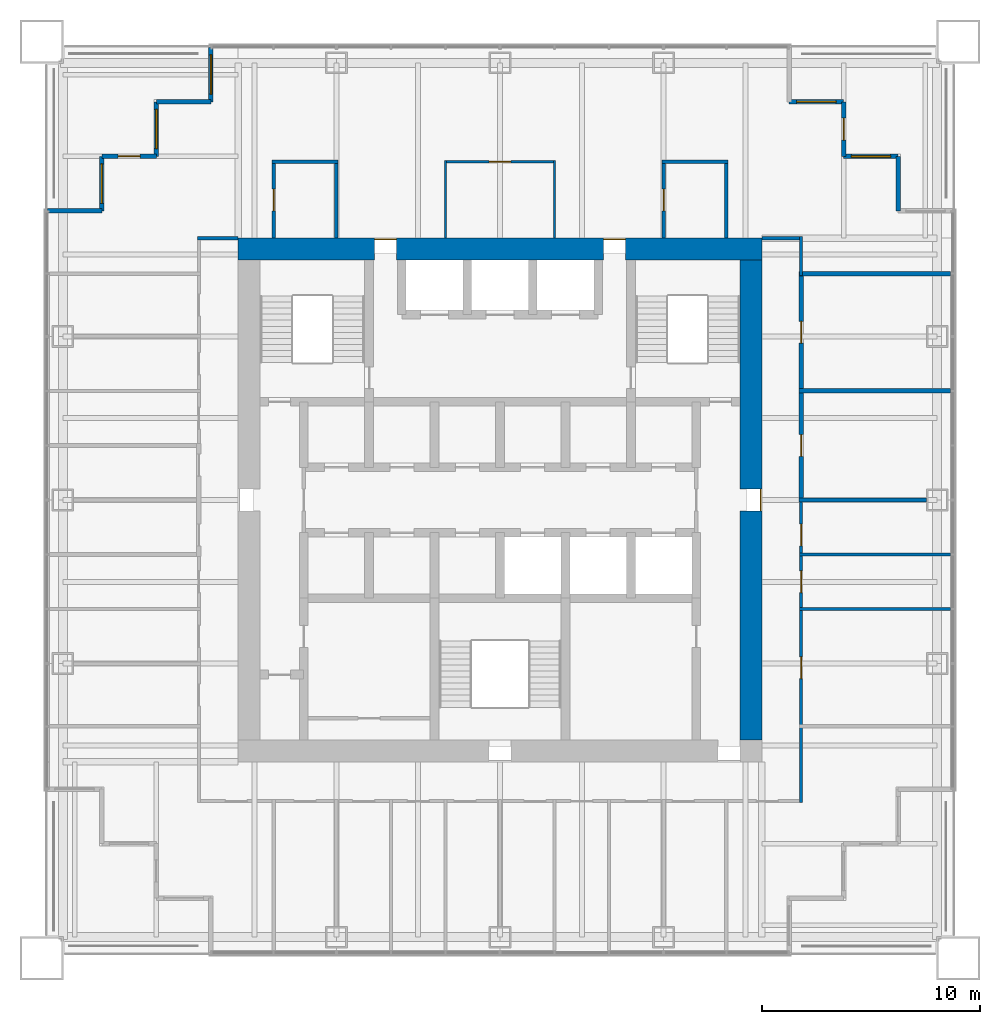
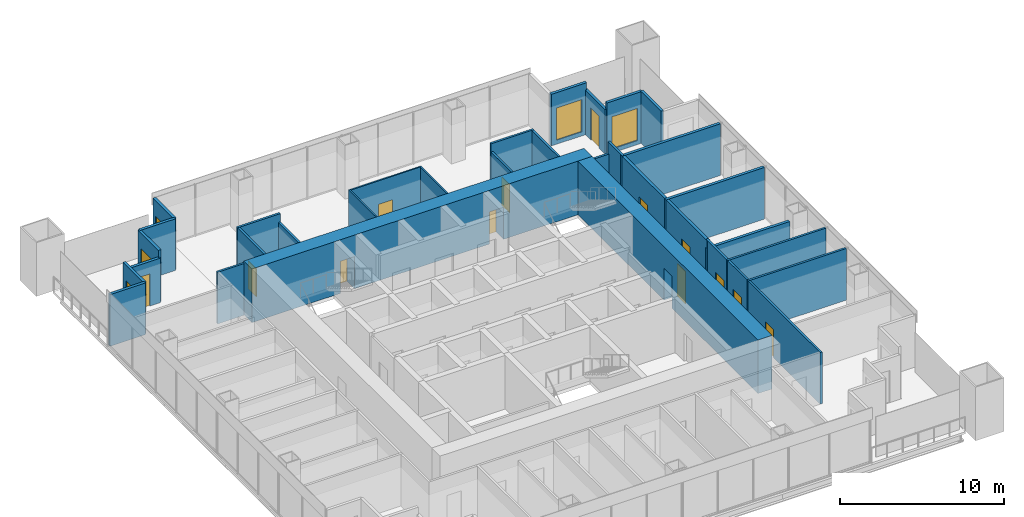
# One storey, part 12 of 15: 31 walls, 13 doors, 5 windows, 18 openings.
"""IFC4 building model written with IfcOpenShell, lengths in metres."""

import ifcopenshell
import ifcopenshell.guid

model = None  # the IFC model being written
_history = None  # IfcOwnerHistory: only IFC2X3 demands one
_inside = {}  # id of a spatial element -> (the spatial element, [elements in it])
_under = {}  # id of a project, library or spatial element -> (it, [spatial elements below it])
_declared = {}  # id of a project -> (the project, [libraries it declares])
_typed = {}  # id of a type object -> (the type object, [elements of that type])
_made_of = {}  # id of a material, layer set ... -> (it, [elements and type objects made of it])


def new_model(schema):
    """Start an empty IFC model of exactly this schema.

    Asked for "IFC4X3", IfcOpenShell would pick the latest addendum, in which some entities
    have other attributes; the version numbers below select the first issue.
    IFC2X3 requires an IfcOwnerHistory on every rooted entity: one is made here for all.
    """
    global model, _history
    if schema == "IFC4X3":
        model = ifcopenshell.file(schema_version=(4, 3, 0, 0))
    else:
        model = ifcopenshell.file(schema=schema)
    _inside.clear()
    _under.clear()
    _declared.clear()
    _typed.clear()
    _made_of.clear()
    _history = None
    if model.schema == "IFC2X3":
        org = make("IfcOrganization", Name="unknown")
        user = make(
            "IfcPersonAndOrganization",
            ThePerson=make("IfcPerson", FamilyName="unknown"),
            TheOrganization=org,
        )
        app = make(
            "IfcApplication",
            ApplicationDeveloper=org,
            Version="unknown",
            ApplicationFullName="unknown",
            ApplicationIdentifier="unknown",
        )
        _history = make(
            "IfcOwnerHistory",
            OwningUser=user,
            OwningApplication=app,
            ChangeAction="ADDED",
            CreationDate=0,
        )
    return model


def make(cls, **values):
    """One entity of the class cls with the attributes given. An attribute that is None is left unset."""
    return model.create_entity(
        cls, **{name: value for name, value in values.items() if value is not None}
    )


def rooted(cls, **values):
    """An entity with a GlobalId (a new one), such as an element, a storey or a relation."""
    return make(cls, GlobalId=ifcopenshell.guid.new(), OwnerHistory=_history, **values)


def si_unit(unit_type, name, prefix=None):
    """IfcSIUnit, for example si_unit("LENGTHUNIT", "METRE", prefix="MILLI")."""
    return make("IfcSIUnit", UnitType=unit_type, Prefix=prefix, Name=name)


def assignment(units):
    """IfcUnitAssignment: the units of a project."""
    return None if units is None else make("IfcUnitAssignment", Units=units)


def point(xyz):
    """IfcCartesianPoint."""
    return None if xyz is None else make("IfcCartesianPoint", Coordinates=xyz)


def direction(xyz):
    """IfcDirection."""
    return None if xyz is None else make("IfcDirection", DirectionRatios=xyz)


def frame(location, z_axis=None, x_axis=None):
    """IfcAxis2Placement3D, a coordinate frame: its origin and axes. An axis left out is left unset."""
    return make(
        "IfcAxis2Placement3D",
        Location=point(location),
        Axis=direction(z_axis),
        RefDirection=direction(x_axis),
    )


def frame_2d(location, x_axis=None):
    """IfcAxis2Placement2D, a coordinate frame in the plane: its origin and x axis."""
    return make(
        "IfcAxis2Placement2D", Location=point(location), RefDirection=direction(x_axis)
    )


def origin():
    """The frame at (0, 0, 0) with its axes left unset."""
    return frame((0.0, 0.0, 0.0))


def place(relative_to, where):
    """IfcLocalPlacement: puts the frame where relative to a parent placement (None: the world)."""
    return make(
        "IfcLocalPlacement", PlacementRelTo=relative_to, RelativePlacement=where
    )


def context(
    kind, dimensions, precision=None, world=None, true_north=None, identifier=None
):
    """IfcGeometricRepresentationContext, for example the 3D "Model" context."""
    return make(
        "IfcGeometricRepresentationContext",
        ContextIdentifier=identifier,
        ContextType=kind,
        CoordinateSpaceDimension=dimensions,
        Precision=precision,
        WorldCoordinateSystem=world,
        TrueNorth=true_north,
    )


def subcontext(parent, identifier, kind, view, scale=None):
    """IfcGeometricRepresentationSubContext, for example "Body" below "Model"."""
    return make(
        "IfcGeometricRepresentationSubContext",
        ContextIdentifier=identifier,
        ContextType=kind,
        ParentContext=parent,
        TargetScale=scale,
        TargetView=view,
    )


def project(units=None, contexts=None):
    """IfcProject with its units and contexts."""
    return rooted(
        "IfcProject",
        Name="project",
        RepresentationContexts=contexts,
        UnitsInContext=assignment(units),
    )


def spatial(cls, under=None, at=None, **own):
    """A site, building, storey or space (cls), placed at a placement, below another one or the project."""
    s = rooted(cls, ObjectPlacement=at, **own)
    if under is not None:
        _under.setdefault(under.id(), (under, []))[1].append(s)
    return s


def profile(cls, at=None, kind="AREA", **sizes):
    """A parametric profile (cls). Its sizes go by their IFC names, for example OverallWidth=200.0."""
    return make(cls, ProfileType=kind, Position=at, **sizes)


def rectangle(**sizes):
    """IfcRectangleProfileDef."""
    return profile("IfcRectangleProfileDef", **sizes)


def extrude(swept, where, along, depth):
    """IfcExtrudedAreaSolid: the profile swept, set in the frame where, extruded along a direction by depth."""
    return make(
        "IfcExtrudedAreaSolid",
        SweptArea=swept,
        Position=where,
        ExtrudedDirection=direction(along),
        Depth=depth,
    )


def shape(context_of_items, identifier, shape_type, items):
    """IfcShapeRepresentation: the items that make up one representation, for example the "Body"."""
    return make(
        "IfcShapeRepresentation",
        ContextOfItems=context_of_items,
        RepresentationIdentifier=identifier,
        RepresentationType=shape_type,
        Items=items,
    )


def material(Name=None, Category=None):
    """IfcMaterial."""
    return make("IfcMaterial", Name=Name, Category=Category)


def layer(
    of_material, thickness, ventilated=None, Name=None, Category=None, Priority=None
):
    """IfcMaterialLayer: one layer of a wall or slab, of a material (None: an air gap)."""
    return make(
        "IfcMaterialLayer",
        Material=of_material,
        LayerThickness=thickness,
        IsVentilated=ventilated,
        Name=Name,
        Category=Category,
        Priority=Priority,
    )


def layer_set(layers, Name=None):
    """IfcMaterialLayerSet."""
    return make("IfcMaterialLayerSet", MaterialLayers=layers, LayerSetName=Name)


def made_of(thing, what):
    """Note that an element or type object is made of a material, layer set ...; save() writes the relation."""
    if what is not None:
        _made_of.setdefault(what.id(), (what, []))[1].append(thing)
    return thing


def type_object(cls, material=None, **own):
    """A type object (cls), such as IfcWallType, which elements share."""
    return made_of(rooted(cls, **own), material)


def element(
    cls,
    number,
    at=None,
    inside=None,
    cuts=None,
    type_object=None,
    material=None,
    context=None,
    identifier="Body",
    shape_type=None,
    held_by="IfcProductDefinitionShape",
    body=None,
    shapes=None,
    **own,
):
    """One element of the class cls, such as IfcWall. Its Tag is "e" and its number.

    at: its placement. inside: the storey or other place that contains it. cuts: it is an
    opening in that element (IfcRelVoidsElement). A single representation is given by context,
    identifier, shape_type and body (its items); several are given by shapes. held_by: the class
    of the entity that holds the representations. save() writes the other relations.
    """
    e = rooted(cls, Tag="e%d" % number, ObjectPlacement=at, **own)
    if body is not None:
        shapes = [shape(context, identifier, shape_type, body)]
    if shapes is not None:
        e.Representation = make(held_by, Representations=shapes)
    if inside is not None:
        _inside.setdefault(inside.id(), (inside, []))[1].append(e)
    if cuts is not None:
        rooted(
            "IfcRelVoidsElement", RelatingBuildingElement=cuts, RelatedOpeningElement=e
        )
    if type_object is not None:
        _typed.setdefault(type_object.id(), (type_object, []))[1].append(e)
    return made_of(e, material)


def fill(opening, filler):
    """IfcRelFillsElement: the door or window that sits in an opening."""
    return rooted(
        "IfcRelFillsElement",
        RelatingOpeningElement=opening,
        RelatedBuildingElement=filler,
    )


def aggregate(whole, parts):
    """IfcRelAggregates: a whole, such as a stair, and the parts it consists of."""
    return rooted("IfcRelAggregates", RelatingObject=whole, RelatedObjects=parts)


def save(model, path):
    """Write the relations noted so far, then the file.

    IfcRelAggregates (storeys below a building ...), IfcRelContainedInSpatialStructure (elements
    in a storey), IfcRelDefinesByType, IfcRelAssociatesMaterial and IfcRelDeclares: one each for
    every whole, place, type object, material and project.
    """
    for whole, parts in _under.values():
        aggregate(whole, parts)
    for where, things in _inside.values():
        rooted(
            "IfcRelContainedInSpatialStructure",
            RelatedElements=things,
            RelatingStructure=where,
        )
    for kind, things in _typed.values():
        rooted("IfcRelDefinesByType", RelatedObjects=things, RelatingType=kind)
    for what, things in _made_of.values():
        rooted("IfcRelAssociatesMaterial", RelatedObjects=things, RelatingMaterial=what)
    for by, libraries in _declared.values():
        rooted("IfcRelDeclares", RelatingContext=by, RelatedDefinitions=libraries)
    model.write(path)


model = new_model("IFC4")

# Units and contexts
model_context = context("Model", 3, precision=1e-05, world=origin(), true_north=direction((0.0, 1.0)))
body_context = subcontext(model_context, "Body", "Model", "MODEL_VIEW")
ifc_project = project(units=[si_unit("LENGTHUNIT", "METRE"), si_unit("AREAUNIT", "SQUARE_METRE"), si_unit("VOLUMEUNIT", "CUBIC_METRE"), si_unit("PLANEANGLEUNIT", "RADIAN"), si_unit("MASSUNIT", "GRAM", prefix="KILO")], contexts=[model_context])

# Site, building, storey
site_placement = place(None, origin())
site = spatial("IfcSite", under=ifc_project, at=site_placement, CompositionType="ELEMENT")
building_placement = place(site_placement, origin())
building = spatial("IfcBuilding", under=site, at=building_placement, Name="Tarangal Relay Tower", CompositionType="ELEMENT")
storey_placement = place(building_placement, frame((0.0, 0.0, 299.89990234375)))
storey = spatial("IfcBuildingStorey", under=building, at=storey_placement, Name="L66", CompositionType="ELEMENT", Elevation=299.89990234375)

# Walls
ifc_material_1 = material(Name="Two layers gypsum board each side on twin steel studs, mineral wool", Category="steel")
ifc_layer_1 = layer(ifc_material_1, 0.199951171875)
ifc_layer_set_1 = layer_set([ifc_layer_1], Name="Acoustic partition 200")
wall_type_1 = type_object("IfcWallType", Name="Acoustic partition 200", PredefinedType="PARTITIONING", material=ifc_layer_set_1)
wall_1_placement = place(storey_placement, frame((13.699951171875, 0.0, 0.0), z_axis=(0.0, 0.0, 1.0), x_axis=(1.0, 0.0, 0.0)))
element("IfcWall", 1, at=wall_1_placement, inside=storey, type_object=wall_type_1, Name="Partition PT2 L66", PredefinedType="PARTITIONING", context=body_context, shape_type="SweptSolid", body=[
    extrude(rectangle(XDim=5.840087890625, YDim=0.199951171875, at=frame_2d((2.919921875, 0.0))), origin(), (0.0, 0.0, 1.0), 3.2431640625),
])
for number, where, z_axis, x_axis, name in (
    (2, (13.699951171875, 5.0, 0.0), (0.0, 0.0, 1.0), (1.0, 0.0, 0.0), "Partition PT2 L66"),
    (3, (13.699951171875, 10.375, 0.0), (0.0, 0.0, 1.0), (1.0, 0.0, 0.0), "Partition PT2 L66"),
):
    element("IfcWall", number, at=place(storey_placement, frame(where, z_axis=z_axis, x_axis=x_axis)), inside=storey, type_object=wall_type_1, Name=name, PredefinedType="PARTITIONING", context=body_context, shape_type="SweptSolid", body=[
        extrude(rectangle(XDim=6.949951171875, YDim=0.199951171875, at=frame_2d((3.47509765625, 0.0))), origin(), (0.0, 0.0, 1.0), 3.85009765625),
    ])

# Wall, openings, doors
wall_2_placement = place(storey_placement, frame((13.800048828125, -0.10009765625, 0.0), z_axis=(0.0, 0.0, 1.0), x_axis=(0.0, 1.0, 0.0)))
wall_2 = element("IfcWall", 4, at=wall_2_placement, inside=storey, type_object=wall_type_1, Name="Partition PT2 L66", PredefinedType="PARTITIONING", context=body_context, shape_type="SweptSolid", body=[
    extrude(rectangle(XDim=10.5751953125, YDim=0.199951171875, at=frame_2d((5.28759765625, 0.0))), origin(), (0.0, 0.0, 1.0), 3.85009765625),
])
opening_1_placement = place(wall_2_placement, frame((7.28759765625, 0.0, 0.0)))
opening_1 = element("IfcOpeningElement", 5, at=opening_1_placement, cuts=wall_2, Name="Opening D2", PredefinedType="OPENING", context=body_context, shape_type="SweptSolid", body=[
    extrude(rectangle(XDim=1.0, YDim=2.10009765625, at=frame_2d((0.5, 1.050048828125))), frame((0.0, 0.10986328125, 0.0), z_axis=(0.0, -1.0, 0.0), x_axis=(1.0, 0.0, 0.0)), (0.0, 0.0, 1.0), 0.219970703125),
])
opening_2_placement = place(wall_2_placement, frame((2.10009765625, 0.0, 0.0)))
opening_2 = element("IfcOpeningElement", 6, at=opening_2_placement, cuts=wall_2, Name="Opening D2", PredefinedType="OPENING", context=body_context, shape_type="SweptSolid", body=[
    extrude(rectangle(XDim=1.0, YDim=2.10009765625, at=frame_2d((0.5, 1.050048828125))), frame((0.0, 0.10986328125, 0.0), z_axis=(0.0, -1.0, 0.0), x_axis=(1.0, 0.0, 0.0)), (0.0, 0.0, 1.0), 0.219970703125),
])
ifc_material_2 = material(Name="Hardwood door", Category="wood")
door_type_1 = type_object("IfcDoorType", Name="Door 1000 x 2100", OperationType="SINGLE_SWING_LEFT", PredefinedType="DOOR", material=ifc_material_2)
door_1_placement = place(opening_1_placement, origin())
door_1 = element("IfcDoor", 7, at=door_1_placement, inside=storey, type_object=door_type_1, Name="Door D2 to boardroom L66-05", OperationType="SINGLE_SWING_LEFT", OverallHeight=2.10009765625, OverallWidth=1.0, PredefinedType="DOOR", context=body_context, shape_type="SweptSolid", body=[
    extrude(rectangle(XDim=1.0, YDim=2.10009765625, at=frame_2d((0.5, 1.050048828125))), frame((0.0, 0.02490234375, 0.0), z_axis=(0.0, -1.0, 0.0), x_axis=(1.0, 0.0, 0.0)), (0.0, 0.0, 1.0), 0.050048828125),
])
fill(opening_1, door_1)
door_2_placement = place(opening_2_placement, origin())
door_2 = element("IfcDoor", 8, at=door_2_placement, inside=storey, type_object=door_type_1, Name="Door D2 to meeting room L66-06", OperationType="SINGLE_SWING_LEFT", OverallHeight=2.10009765625, OverallWidth=1.0, PredefinedType="DOOR", context=body_context, shape_type="SweptSolid", body=[
    extrude(rectangle(XDim=1.0, YDim=2.10009765625, at=frame_2d((0.5, 1.050048828125))), frame((0.0, 0.02490234375, 0.0), z_axis=(0.0, -1.0, 0.0), x_axis=(1.0, 0.0, 0.0)), (0.0, 0.0, 1.0), 0.050048828125),
])
fill(opening_2, door_2)

ifc_material_3 = material(Name="Concrete fc' 60 MPa", Category="concrete")
ifc_layer_2 = layer(ifc_material_3, 1.0)
ifc_layer_set_2 = layer_set([ifc_layer_2], Name="Core wall 1000")
wall_type_2 = type_object("IfcWallType", Name="Core wall 1000", PredefinedType="SHEAR", material=ifc_layer_set_2)
wall_3_placement = place(storey_placement, frame((-12.0, 11.5, 0.0), z_axis=(0.0, 0.0, 1.0), x_axis=(1.0, 0.0, 0.0)))
wall_3 = element("IfcWall", 9, at=wall_3_placement, inside=storey, type_object=wall_type_2, Name="Core wall N L66", PredefinedType="SHEAR", context=body_context, shape_type="SweptSolid", body=[
    extrude(rectangle(XDim=24.0, YDim=1.0, at=frame_2d((12.0, 0.0))), origin(), (0.0, 0.0, 1.0), 4.0),
])
opening_3_placement = place(wall_3_placement, frame((6.25, 0.0, 0.0)))
opening_3 = element("IfcOpeningElement", 10, at=opening_3_placement, cuts=wall_3, Name="Opening FD3", PredefinedType="OPENING", context=body_context, shape_type="SweptSolid", body=[
    extrude(rectangle(XDim=1.0, YDim=2.39990234375, at=frame_2d((0.5, 1.199951171875))), frame((0.0, 0.510009765625, 0.0), z_axis=(0.0, -1.0, 0.0), x_axis=(1.0, 0.0, 0.0)), (0.0, 0.0, 1.0), 1.02001953125),
])
opening_4_placement = place(wall_3_placement, frame((16.75, 0.0, 0.0)))
opening_4 = element("IfcOpeningElement", 11, at=opening_4_placement, cuts=wall_3, Name="Opening FD3", PredefinedType="OPENING", context=body_context, shape_type="SweptSolid", body=[
    extrude(rectangle(XDim=1.0, YDim=2.39990234375, at=frame_2d((0.5, 1.199951171875))), frame((0.0, 0.510009765625, 0.0), z_axis=(0.0, -1.0, 0.0), x_axis=(1.0, 0.0, 0.0)), (0.0, 0.0, 1.0), 1.02001953125),
])
ifc_material_4 = material(Name="Steel door with hardwood frame", Category="steel")
door_type_2 = type_object("IfcDoorType", Name="Fire door 1000 x 2400 core entry", OperationType="SINGLE_SWING_RIGHT", PredefinedType="DOOR", material=ifc_material_4)
door_3_placement = place(opening_3_placement, origin())
door_3 = element("IfcDoor", 12, at=door_3_placement, inside=storey, type_object=door_type_2, Name="Core entry door north west L66", OperationType="SINGLE_SWING_RIGHT", OverallHeight=2.39990234375, OverallWidth=1.0, PredefinedType="DOOR", context=body_context, shape_type="SweptSolid", body=[
    extrude(rectangle(XDim=1.0, YDim=2.39990234375, at=frame_2d((0.5, 1.199951171875))), frame((0.0, 0.48486328125, 0.0), z_axis=(0.0, -1.0, 0.0), x_axis=(1.0, 0.0, 0.0)), (0.0, 0.0, 1.0), 0.050048828125),
])
fill(opening_3, door_3)
door_4_placement = place(opening_4_placement, origin())
door_4 = element("IfcDoor", 13, at=door_4_placement, inside=storey, type_object=door_type_2, Name="Core entry door north east L66", OperationType="SINGLE_SWING_RIGHT", OverallHeight=2.39990234375, OverallWidth=1.0, PredefinedType="DOOR", context=body_context, shape_type="SweptSolid", body=[
    extrude(rectangle(XDim=1.0, YDim=2.39990234375, at=frame_2d((0.5, 1.199951171875))), frame((0.0, 0.48486328125, 0.0), z_axis=(0.0, -1.0, 0.0), x_axis=(1.0, 0.0, 0.0)), (0.0, 0.0, 1.0), 0.050048828125),
])
fill(opening_4, door_4)

# Wall, opening, door
wall_4_placement = place(storey_placement, frame((11.5, 11.0, 0.0), z_axis=(0.0, 0.0, 1.0), x_axis=(0.0, -1.0, 0.0)))
wall_4 = element("IfcWall", 14, at=wall_4_placement, inside=storey, type_object=wall_type_2, Name="Core wall E L66", PredefinedType="SHEAR", context=body_context, shape_type="SweptSolid", body=[
    extrude(rectangle(XDim=22.0, YDim=1.0, at=frame_2d((11.0, 0.0))), origin(), (0.0, 0.0, 1.0), 4.0),
])
opening_5_placement = place(wall_4_placement, frame((10.5, 0.0, 0.0)))
opening_5 = element("IfcOpeningElement", 15, at=opening_5_placement, cuts=wall_4, Name="Opening FD3", PredefinedType="OPENING", context=body_context, shape_type="SweptSolid", body=[
    extrude(rectangle(XDim=1.0, YDim=2.39990234375, at=frame_2d((0.5, 1.199951171875))), frame((0.0, 0.510009765625, 0.0), z_axis=(0.0, -1.0, 0.0), x_axis=(1.0, 0.0, 0.0)), (0.0, 0.0, 1.0), 1.02001953125),
])
door_5_placement = place(opening_5_placement, origin())
door_5 = element("IfcDoor", 16, at=door_5_placement, inside=storey, type_object=door_type_2, Name="Core entry door east L66", OperationType="SINGLE_SWING_RIGHT", OverallHeight=2.39990234375, OverallWidth=1.0, PredefinedType="DOOR", context=body_context, shape_type="SweptSolid", body=[
    extrude(rectangle(XDim=1.0, YDim=2.39990234375, at=frame_2d((0.5, 1.199951171875))), frame((0.0, 0.48486328125, 0.0), z_axis=(0.0, -1.0, 0.0), x_axis=(1.0, 0.0, 0.0)), (0.0, 0.0, 1.0), 0.050048828125),
])
fill(opening_5, door_5)

# Wall, opening, window
ifc_material_5 = material(Name="Black metal clad insulated wall", Category="steel")
ifc_layer_3 = layer(ifc_material_5, 0.199951171875)
ifc_layer_set_3 = layer_set([ifc_layer_3], Name="Corner wall metal clad 200")
wall_type_3 = type_object("IfcWallType", Name="Corner wall metal clad 200", PredefinedType="SOLIDWALL", material=ifc_layer_set_3)
wall_5_placement = place(storey_placement, frame((13.25, 18.25, 0.0), z_axis=(0.0, 0.0, 1.0), x_axis=(1.0, 0.0, 0.0)))
wall_5 = element("IfcWall", 17, at=wall_5_placement, inside=storey, type_object=wall_type_3, Name="Facade wall N facade L66", PredefinedType="SOLIDWALL", context=body_context, shape_type="SweptSolid", body=[
    extrude(rectangle(XDim=2.5, YDim=0.199951171875, at=frame_2d((1.25, 0.0))), origin(), (0.0, 0.0, 1.0), 3.85009765625),
])
opening_6_placement = place(wall_5_placement, frame((0.35009765625, 0.0, 0.300048828125)))
opening_6 = element("IfcOpeningElement", 18, at=opening_6_placement, cuts=wall_5, Name="Opening WN2", PredefinedType="OPENING", context=body_context, shape_type="SweptSolid", body=[
    extrude(rectangle(XDim=1.800048828125, YDim=2.39990234375, at=frame_2d((0.89990234375, 1.199951171875))), frame((0.0, 0.10986328125, 0.0), z_axis=(0.0, -1.0, 0.0), x_axis=(1.0, 0.0, 0.0)), (0.0, 0.0, 1.0), 0.219970703125),
])
ifc_material_6 = material(Name="Dark tinted double glazing in black aluminium frame", Category="aluminium")
window_type = type_object("IfcWindowType", Name="Corner window 1800 x 2400", PartitioningType="SINGLE_PANEL", PredefinedType="WINDOW", material=ifc_material_6)
window_1_placement = place(opening_6_placement, origin())
window_1 = element("IfcWindow", 19, at=window_1_placement, inside=storey, type_object=window_type, Name="Corner window WN2 N facade L66", OverallHeight=2.39990234375, OverallWidth=1.800048828125, PartitioningType="SINGLE_PANEL", PredefinedType="WINDOW", context=body_context, shape_type="SweptSolid", body=[
    extrude(rectangle(XDim=1.800048828125, YDim=2.39990234375, at=frame_2d((0.89990234375, 1.199951171875))), frame((0.0, 0.030029296875, 0.0), z_axis=(0.0, -1.0, 0.0), x_axis=(1.0, 0.0, 0.0)), (0.0, 0.0, 1.0), 0.06005859375),
])
fill(opening_6, window_1)

# Wall, opening, door
wall_6_placement = place(storey_placement, frame((15.75, 18.25, 0.0), z_axis=(0.0, 0.0, 1.0), x_axis=(0.0, -1.0, 0.0)))
wall_6 = element("IfcWall", 20, at=wall_6_placement, inside=storey, type_object=wall_type_3, Name="Facade wall N facade L66", PredefinedType="SOLIDWALL", context=body_context, shape_type="SweptSolid", body=[
    extrude(rectangle(XDim=2.5, YDim=0.199951171875, at=frame_2d((1.25, 0.0))), origin(), (0.0, 0.0, 1.0), 3.316650390625),
])
opening_7_placement = place(wall_6_placement, frame((0.75, 0.0, 0.0)))
opening_7 = element("IfcOpeningElement", 21, at=opening_7_placement, cuts=wall_6, Name="Opening TD1", PredefinedType="OPENING", context=body_context, shape_type="SweptSolid", body=[
    extrude(rectangle(XDim=1.0, YDim=2.39990234375, at=frame_2d((0.5, 1.199951171875))), frame((0.0, 0.10986328125, 0.0), z_axis=(0.0, -1.0, 0.0), x_axis=(1.0, 0.0, 0.0)), (0.0, 0.0, 1.0), 0.219970703125),
])
ifc_material_7 = material(Name="Aluminium glazed door", Category="aluminium")
door_type_3 = type_object("IfcDoorType", Name="Terrace door 1000 x 2400", OperationType="SINGLE_SWING_RIGHT", PredefinedType="DOOR", material=ifc_material_7)
door_6_placement = place(opening_7_placement, origin())
door_6 = element("IfcDoor", 22, at=door_6_placement, inside=storey, type_object=door_type_3, Name="Terrace door TD1 NE L66", OperationType="SINGLE_SWING_RIGHT", OverallHeight=2.39990234375, OverallWidth=1.0, PredefinedType="DOOR", context=body_context, shape_type="SweptSolid", body=[
    extrude(rectangle(XDim=1.0, YDim=2.39990234375, at=frame_2d((0.5, 1.199951171875))), frame((0.0, 0.02490234375, 0.0), z_axis=(0.0, -1.0, 0.0), x_axis=(1.0, 0.0, 0.0)), (0.0, 0.0, 1.0), 0.050048828125),
])
fill(opening_7, door_6)

# Wall, opening, window
wall_7_placement = place(storey_placement, frame((15.75, 15.75, 0.0), z_axis=(0.0, 0.0, 1.0), x_axis=(1.0, 0.0, 0.0)))
wall_7 = element("IfcWall", 23, at=wall_7_placement, inside=storey, type_object=wall_type_3, Name="Facade wall N facade L66", PredefinedType="SOLIDWALL", context=body_context, shape_type="SweptSolid", body=[
    extrude(rectangle(XDim=2.5, YDim=0.199951171875, at=frame_2d((1.25, 0.0))), origin(), (0.0, 0.0, 1.0), 3.85009765625),
])
opening_8_placement = place(wall_7_placement, frame((0.35009765625, 0.0, 0.300048828125)))
opening_8 = element("IfcOpeningElement", 24, at=opening_8_placement, cuts=wall_7, Name="Opening WN2", PredefinedType="OPENING", context=body_context, shape_type="SweptSolid", body=[
    extrude(rectangle(XDim=1.800048828125, YDim=2.39990234375, at=frame_2d((0.89990234375, 1.199951171875))), frame((0.0, 0.10986328125, 0.0), z_axis=(0.0, -1.0, 0.0), x_axis=(1.0, 0.0, 0.0)), (0.0, 0.0, 1.0), 0.219970703125),
])
window_2_placement = place(opening_8_placement, origin())
window_2 = element("IfcWindow", 25, at=window_2_placement, inside=storey, type_object=window_type, Name="Corner window WN2 N facade L66", OverallHeight=2.39990234375, OverallWidth=1.800048828125, PartitioningType="SINGLE_PANEL", PredefinedType="WINDOW", context=body_context, shape_type="SweptSolid", body=[
    extrude(rectangle(XDim=1.800048828125, YDim=2.39990234375, at=frame_2d((0.89990234375, 1.199951171875))), frame((0.0, 0.030029296875, 0.0), z_axis=(0.0, -1.0, 0.0), x_axis=(1.0, 0.0, 0.0)), (0.0, 0.0, 1.0), 0.06005859375),
])
fill(opening_8, window_2)

# Walls
for number, where, z_axis, x_axis, name in (
    (26, (18.25, 15.75, 0.0), (0.0, 0.0, 1.0), (0.0, -1.0, 0.0), "Facade wall N facade L66"),
    (27, (-20.75, 13.25, 0.0), (0.0, 0.0, 1.0), (1.0, 0.0, 0.0), "Facade wall W facade L66"),
):
    element("IfcWall", number, at=place(storey_placement, frame(where, z_axis=z_axis, x_axis=x_axis)), inside=storey, type_object=wall_type_3, Name=name, PredefinedType="SOLIDWALL", context=body_context, shape_type="SweptSolid", body=[
        extrude(rectangle(XDim=2.5, YDim=0.199951171875, at=frame_2d((1.25, 0.0))), origin(), (0.0, 0.0, 1.0), 3.85009765625),
    ])

# Wall, opening, window
wall_8_placement = place(storey_placement, frame((-18.25, 13.25, 0.0), z_axis=(0.0, 0.0, 1.0), x_axis=(0.0, 1.0, 0.0)))
wall_8 = element("IfcWall", 28, at=wall_8_placement, inside=storey, type_object=wall_type_3, Name="Facade wall W facade L66", PredefinedType="SOLIDWALL", context=body_context, shape_type="SweptSolid", body=[
    extrude(rectangle(XDim=2.5, YDim=0.199951171875, at=frame_2d((1.25, 0.0))), origin(), (0.0, 0.0, 1.0), 3.85009765625),
])
opening_9_placement = place(wall_8_placement, frame((0.35009765625, 0.0, 0.300048828125)))
opening_9 = element("IfcOpeningElement", 29, at=opening_9_placement, cuts=wall_8, Name="Opening WN2", PredefinedType="OPENING", context=body_context, shape_type="SweptSolid", body=[
    extrude(rectangle(XDim=1.800048828125, YDim=2.39990234375, at=frame_2d((0.89990234375, 1.199951171875))), frame((0.0, 0.10986328125, 0.0), z_axis=(0.0, -1.0, 0.0), x_axis=(1.0, 0.0, 0.0)), (0.0, 0.0, 1.0), 0.219970703125),
])
window_3_placement = place(opening_9_placement, origin())
window_3 = element("IfcWindow", 30, at=window_3_placement, inside=storey, type_object=window_type, Name="Corner window WN2 W facade L66", OverallHeight=2.39990234375, OverallWidth=1.800048828125, PartitioningType="SINGLE_PANEL", PredefinedType="WINDOW", context=body_context, shape_type="SweptSolid", body=[
    extrude(rectangle(XDim=1.800048828125, YDim=2.39990234375, at=frame_2d((0.89990234375, 1.199951171875))), frame((0.0, 0.030029296875, 0.0), z_axis=(0.0, -1.0, 0.0), x_axis=(1.0, 0.0, 0.0)), (0.0, 0.0, 1.0), 0.06005859375),
])
fill(opening_9, window_3)

# Wall, opening, door
wall_9_placement = place(storey_placement, frame((-18.25, 15.75, 0.0), z_axis=(0.0, 0.0, 1.0), x_axis=(1.0, 0.0, 0.0)))
wall_9 = element("IfcWall", 31, at=wall_9_placement, inside=storey, type_object=wall_type_3, Name="Facade wall W facade L66", PredefinedType="SOLIDWALL", context=body_context, shape_type="SweptSolid", body=[
    extrude(rectangle(XDim=2.5, YDim=0.199951171875, at=frame_2d((1.25, 0.0))), origin(), (0.0, 0.0, 1.0), 3.316650390625),
])
opening_10_placement = place(wall_9_placement, frame((0.75, 0.0, 0.0)))
opening_10 = element("IfcOpeningElement", 32, at=opening_10_placement, cuts=wall_9, Name="Opening TD1", PredefinedType="OPENING", context=body_context, shape_type="SweptSolid", body=[
    extrude(rectangle(XDim=1.0, YDim=2.39990234375, at=frame_2d((0.5, 1.199951171875))), frame((0.0, 0.10986328125, 0.0), z_axis=(0.0, -1.0, 0.0), x_axis=(1.0, 0.0, 0.0)), (0.0, 0.0, 1.0), 0.219970703125),
])
door_7_placement = place(opening_10_placement, origin())
door_7 = element("IfcDoor", 33, at=door_7_placement, inside=storey, type_object=door_type_3, Name="Terrace door TD1 NW L66", OperationType="SINGLE_SWING_RIGHT", OverallHeight=2.39990234375, OverallWidth=1.0, PredefinedType="DOOR", context=body_context, shape_type="SweptSolid", body=[
    extrude(rectangle(XDim=1.0, YDim=2.39990234375, at=frame_2d((0.5, 1.199951171875))), frame((0.0, 0.02490234375, 0.0), z_axis=(0.0, -1.0, 0.0), x_axis=(1.0, 0.0, 0.0)), (0.0, 0.0, 1.0), 0.050048828125),
])
fill(opening_10, door_7)

# Wall, opening, window
wall_10_placement = place(storey_placement, frame((-15.75, 15.75, 0.0), z_axis=(0.0, 0.0, 1.0), x_axis=(0.0, 1.0, 0.0)))
wall_10 = element("IfcWall", 34, at=wall_10_placement, inside=storey, type_object=wall_type_3, Name="Facade wall W facade L66", PredefinedType="SOLIDWALL", context=body_context, shape_type="SweptSolid", body=[
    extrude(rectangle(XDim=2.5, YDim=0.199951171875, at=frame_2d((1.25, 0.0))), origin(), (0.0, 0.0, 1.0), 3.85009765625),
])
opening_11_placement = place(wall_10_placement, frame((0.35009765625, 0.0, 0.300048828125)))
opening_11 = element("IfcOpeningElement", 35, at=opening_11_placement, cuts=wall_10, Name="Opening WN2", PredefinedType="OPENING", context=body_context, shape_type="SweptSolid", body=[
    extrude(rectangle(XDim=1.800048828125, YDim=2.39990234375, at=frame_2d((0.89990234375, 1.199951171875))), frame((0.0, 0.10986328125, 0.0), z_axis=(0.0, -1.0, 0.0), x_axis=(1.0, 0.0, 0.0)), (0.0, 0.0, 1.0), 0.219970703125),
])
window_4_placement = place(opening_11_placement, origin())
window_4 = element("IfcWindow", 36, at=window_4_placement, inside=storey, type_object=window_type, Name="Corner window WN2 W facade L66", OverallHeight=2.39990234375, OverallWidth=1.800048828125, PartitioningType="SINGLE_PANEL", PredefinedType="WINDOW", context=body_context, shape_type="SweptSolid", body=[
    extrude(rectangle(XDim=1.800048828125, YDim=2.39990234375, at=frame_2d((0.89990234375, 1.199951171875))), frame((0.0, 0.030029296875, 0.0), z_axis=(0.0, -1.0, 0.0), x_axis=(1.0, 0.0, 0.0)), (0.0, 0.0, 1.0), 0.06005859375),
])
fill(opening_11, window_4)

# Wall
wall_11_placement = place(storey_placement, frame((-15.75, 18.25, 0.0), z_axis=(0.0, 0.0, 1.0), x_axis=(1.0, 0.0, 0.0)))
element("IfcWall", 37, at=wall_11_placement, inside=storey, type_object=wall_type_3, Name="Facade wall W facade L66", PredefinedType="SOLIDWALL", context=body_context, shape_type="SweptSolid", body=[
    extrude(rectangle(XDim=2.5, YDim=0.199951171875, at=frame_2d((1.25, 0.0))), origin(), (0.0, 0.0, 1.0), 3.85009765625),
])

# Wall, opening, window
wall_12_placement = place(storey_placement, frame((-13.25, 18.25, 0.0), z_axis=(0.0, 0.0, 1.0), x_axis=(0.0, 1.0, 0.0)))
wall_12 = element("IfcWall", 38, at=wall_12_placement, inside=storey, type_object=wall_type_3, Name="Facade wall W facade L66", PredefinedType="SOLIDWALL", context=body_context, shape_type="SweptSolid", body=[
    extrude(rectangle(XDim=2.5, YDim=0.199951171875, at=frame_2d((1.25, 0.0))), origin(), (0.0, 0.0, 1.0), 3.85009765625),
])
opening_12_placement = place(wall_12_placement, frame((0.35009765625, 0.0, 0.300048828125)))
opening_12 = element("IfcOpeningElement", 39, at=opening_12_placement, cuts=wall_12, Name="Opening WN2", PredefinedType="OPENING", context=body_context, shape_type="SweptSolid", body=[
    extrude(rectangle(XDim=1.800048828125, YDim=2.39990234375, at=frame_2d((0.89990234375, 1.199951171875))), frame((0.0, 0.10986328125, 0.0), z_axis=(0.0, -1.0, 0.0), x_axis=(1.0, 0.0, 0.0)), (0.0, 0.0, 1.0), 0.219970703125),
])
window_5_placement = place(opening_12_placement, origin())
window_5 = element("IfcWindow", 40, at=window_5_placement, inside=storey, type_object=window_type, Name="Corner window WN2 W facade L66", OverallHeight=2.39990234375, OverallWidth=1.800048828125, PartitioningType="SINGLE_PANEL", PredefinedType="WINDOW", context=body_context, shape_type="SweptSolid", body=[
    extrude(rectangle(XDim=1.800048828125, YDim=2.39990234375, at=frame_2d((0.89990234375, 1.199951171875))), frame((0.0, 0.030029296875, 0.0), z_axis=(0.0, -1.0, 0.0), x_axis=(1.0, 0.0, 0.0)), (0.0, 0.0, 1.0), 0.06005859375),
])
fill(opening_12, window_5)

# Wall, opening, door
ifc_material_8 = material(Name="Double glazed aluminium framed partition", Category="aluminium")
ifc_layer_4 = layer(ifc_material_8, 0.10009765625)
ifc_layer_set_4 = layer_set([ifc_layer_4], Name="Glazed partition 100")
wall_type_4 = type_object("IfcWallType", Name="Glazed partition 100", PredefinedType="PARTITIONING", material=ifc_layer_set_4)
wall_13_placement = place(storey_placement, frame((-2.550048828125, 15.5, 0.0), z_axis=(0.0, 0.0, 1.0), x_axis=(1.0, 0.0, 0.0)))
wall_13 = element("IfcWall", 41, at=wall_13_placement, inside=storey, type_object=wall_type_4, Name="Partition PT3 L66", PredefinedType="PARTITIONING", context=body_context, shape_type="SweptSolid", body=[
    extrude(rectangle(XDim=5.10009765625, YDim=0.10009765625, at=frame_2d((2.550048828125, 0.0))), origin(), (0.0, 0.0, 1.0), 3.85009765625),
])
opening_13_placement = place(wall_13_placement, frame((2.050048828125, 0.0, 0.0)))
opening_13 = element("IfcOpeningElement", 42, at=opening_13_placement, cuts=wall_13, Name="Opening D3", PredefinedType="OPENING", context=body_context, shape_type="SweptSolid", body=[
    extrude(rectangle(XDim=1.0, YDim=2.10009765625, at=frame_2d((0.5, 1.050048828125))), frame((0.0, 0.06005859375, 0.0), z_axis=(0.0, -1.0, 0.0), x_axis=(1.0, 0.0, 0.0)), (0.0, 0.0, 1.0), 0.1201171875),
])
ifc_material_9 = material(Name="Frameless glass door", Category="glass")
door_type_4 = type_object("IfcDoorType", Name="Glazed door 1000 x 2100", OperationType="SINGLE_SWING_LEFT", PredefinedType="DOOR", material=ifc_material_9)
door_8_placement = place(opening_13_placement, origin())
door_8 = element("IfcDoor", 43, at=door_8_placement, inside=storey, type_object=door_type_4, Name="Door D3 to project room L66-03", OperationType="SINGLE_SWING_LEFT", OverallHeight=2.10009765625, OverallWidth=1.0, PredefinedType="DOOR", context=body_context, shape_type="SweptSolid", body=[
    extrude(rectangle(XDim=1.0, YDim=2.10009765625, at=frame_2d((0.5, 1.050048828125))), frame((0.0, 0.02490234375, 0.0), z_axis=(0.0, -1.0, 0.0), x_axis=(1.0, 0.0, 0.0)), (0.0, 0.0, 1.0), 0.050048828125),
])
fill(opening_13, door_8)

# Walls
for number, where, z_axis, x_axis, name in (
    (44, (-2.5, 12.0, 0.0), (0.0, 0.0, 1.0), (0.0, 1.0, 0.0), "Partition PT3 L66"),
    (45, (2.5, 12.0, 0.0), (0.0, 0.0, 1.0), (0.0, 1.0, 0.0), "Partition PT3 L66"),
):
    element("IfcWall", number, at=place(storey_placement, frame(where, z_axis=z_axis, x_axis=x_axis)), inside=storey, type_object=wall_type_4, Name=name, PredefinedType="PARTITIONING", context=body_context, shape_type="SweptSolid", body=[
        extrude(rectangle(XDim=3.550048828125, YDim=0.10009765625, at=frame_2d((1.77490234375, 0.0))), origin(), (0.0, 0.0, 1.0), 3.85009765625),
    ])
ifc_material_10 = material(Name="Gypsum board on steel studs", Category="steel")
ifc_layer_5 = layer(ifc_material_10, 0.14990234375)
ifc_layer_set_5 = layer_set([ifc_layer_5], Name="Partition 150")
wall_type_5 = type_object("IfcWallType", Name="Partition 150", PredefinedType="PARTITIONING", material=ifc_layer_set_5)
for number, where, z_axis, x_axis, name in (
    (46, (13.72509765625, -5.0, 0.0), (0.0, 0.0, 1.0), (1.0, 0.0, 0.0), "Partition PT1 L66"),
    (47, (13.72509765625, -2.5, 0.0), (0.0, 0.0, 1.0), (1.0, 0.0, 0.0), "Partition PT1 L66"),
):
    element("IfcWall", number, at=place(storey_placement, frame(where, z_axis=z_axis, x_axis=x_axis)), inside=storey, type_object=wall_type_5, Name=name, PredefinedType="PARTITIONING", context=body_context, shape_type="SweptSolid", body=[
        extrude(rectangle(XDim=6.9248046875, YDim=0.14990234375, at=frame_2d((3.46240234375, 0.0))), origin(), (0.0, 0.0, 1.0), 3.85009765625),
    ])
wall_14_placement = place(storey_placement, frame((-13.875, 12.0, 0.0), z_axis=(0.0, 0.0, 1.0), x_axis=(1.0, 0.0, 0.0)))
element("IfcWall", 48, at=wall_14_placement, inside=storey, type_object=wall_type_5, Name="Partition PT1 L66", PredefinedType="PARTITIONING", context=body_context, shape_type="SweptSolid", body=[
    extrude(rectangle(XDim=1.875, YDim=0.14990234375, at=frame_2d((0.9375, 0.0))), origin(), (0.0, 0.0, 1.0), 3.85009765625),
])
wall_15_placement = place(storey_placement, frame((12.0, 12.0, 0.0), z_axis=(0.0, 0.0, 1.0), x_axis=(1.0, 0.0, 0.0)))
element("IfcWall", 49, at=wall_15_placement, inside=storey, type_object=wall_type_5, Name="Partition PT1 L66", PredefinedType="PARTITIONING", context=body_context, shape_type="SweptSolid", body=[
    extrude(rectangle(XDim=1.875, YDim=0.14990234375, at=frame_2d((0.9375, 0.0))), origin(), (0.0, 0.0, 1.0), 3.009521484375),
])
for number, where, z_axis, x_axis, name in (
    (50, (-10.449951171875, 15.5, 0.0), (0.0, 0.0, 1.0), (1.0, 0.0, 0.0), "Partition PT1 L66"),
    (51, (7.425048828125, 15.5, 0.0), (0.0, 0.0, 1.0), (1.0, 0.0, 0.0), "Partition PT1 L66"),
):
    element("IfcWall", number, at=place(storey_placement, frame(where, z_axis=z_axis, x_axis=x_axis)), inside=storey, type_object=wall_type_5, Name=name, PredefinedType="PARTITIONING", context=body_context, shape_type="SweptSolid", body=[
        extrude(rectangle(XDim=3.02490234375, YDim=0.14990234375, at=frame_2d((1.512451171875, 0.0))), origin(), (0.0, 0.0, 1.0), 3.85009765625),
    ])

# Wall, opening, door
wall_16_placement = place(storey_placement, frame((-10.375, 12.0, 0.0), z_axis=(0.0, 0.0, 1.0), x_axis=(0.0, 1.0, 0.0)))
wall_16 = element("IfcWall", 52, at=wall_16_placement, inside=storey, type_object=wall_type_5, Name="Partition PT1 L66", PredefinedType="PARTITIONING", context=body_context, shape_type="SweptSolid", body=[
    extrude(rectangle(XDim=3.574951171875, YDim=0.14990234375, at=frame_2d((1.78759765625, 0.0))), origin(), (0.0, 0.0, 1.0), 3.85009765625),
])
opening_14_placement = place(wall_16_placement, frame((1.25, 0.0, 0.0)))
opening_14 = element("IfcOpeningElement", 53, at=opening_14_placement, cuts=wall_16, Name="Opening D2", PredefinedType="OPENING", context=body_context, shape_type="SweptSolid", body=[
    extrude(rectangle(XDim=1.0, YDim=2.10009765625, at=frame_2d((0.5, 1.050048828125))), frame((0.0, 0.0849609375, 0.0), z_axis=(0.0, -1.0, 0.0), x_axis=(1.0, 0.0, 0.0)), (0.0, 0.0, 1.0), 0.169921875),
])
door_9_placement = place(opening_14_placement, origin())
door_9 = element("IfcDoor", 54, at=door_9_placement, inside=storey, type_object=door_type_1, Name="Door D2 to cellular office L66-02", OperationType="SINGLE_SWING_LEFT", OverallHeight=2.10009765625, OverallWidth=1.0, PredefinedType="DOOR", context=body_context, shape_type="SweptSolid", body=[
    extrude(rectangle(XDim=1.0, YDim=2.10009765625, at=frame_2d((0.5, 1.050048828125))), frame((0.0, 0.02490234375, 0.0), z_axis=(0.0, -1.0, 0.0), x_axis=(1.0, 0.0, 0.0)), (0.0, 0.0, 1.0), 0.050048828125),
])
fill(opening_14, door_9)

# Wall
wall_17_placement = place(storey_placement, frame((-7.5, 12.0, 0.0), z_axis=(0.0, 0.0, 1.0), x_axis=(0.0, 1.0, 0.0)))
element("IfcWall", 55, at=wall_17_placement, inside=storey, type_object=wall_type_5, Name="Partition PT1 L66", PredefinedType="PARTITIONING", context=body_context, shape_type="SweptSolid", body=[
    extrude(rectangle(XDim=3.574951171875, YDim=0.14990234375, at=frame_2d((1.78759765625, 0.0))), origin(), (0.0, 0.0, 1.0), 3.2431640625),
])

# Wall, opening, door
wall_18_placement = place(storey_placement, frame((7.5, 12.0, 0.0), z_axis=(0.0, 0.0, 1.0), x_axis=(0.0, 1.0, 0.0)))
wall_18 = element("IfcWall", 56, at=wall_18_placement, inside=storey, type_object=wall_type_5, Name="Partition PT1 L66", PredefinedType="PARTITIONING", context=body_context, shape_type="SweptSolid", body=[
    extrude(rectangle(XDim=3.574951171875, YDim=0.14990234375, at=frame_2d((1.78759765625, 0.0))), origin(), (0.0, 0.0, 1.0), 3.2431640625),
])
opening_15_placement = place(wall_18_placement, frame((1.25, 0.0, 0.0)))
opening_15 = element("IfcOpeningElement", 57, at=opening_15_placement, cuts=wall_18, Name="Opening D2", PredefinedType="OPENING", context=body_context, shape_type="SweptSolid", body=[
    extrude(rectangle(XDim=1.0, YDim=2.10009765625, at=frame_2d((0.5, 1.050048828125))), frame((0.0, 0.0849609375, 0.0), z_axis=(0.0, -1.0, 0.0), x_axis=(1.0, 0.0, 0.0)), (0.0, 0.0, 1.0), 0.169921875),
])
door_10_placement = place(opening_15_placement, origin())
door_10 = element("IfcDoor", 58, at=door_10_placement, inside=storey, type_object=door_type_1, Name="Door D2 to cellular office L66-04", OperationType="SINGLE_SWING_LEFT", OverallHeight=2.10009765625, OverallWidth=1.0, PredefinedType="DOOR", context=body_context, shape_type="SweptSolid", body=[
    extrude(rectangle(XDim=1.0, YDim=2.10009765625, at=frame_2d((0.5, 1.050048828125))), frame((0.0, 0.02490234375, 0.0), z_axis=(0.0, -1.0, 0.0), x_axis=(1.0, 0.0, 0.0)), (0.0, 0.0, 1.0), 0.050048828125),
])
fill(opening_15, door_10)

# Wall
wall_19_placement = place(storey_placement, frame((10.375, 12.0, 0.0), z_axis=(0.0, 0.0, 1.0), x_axis=(0.0, 1.0, 0.0)))
element("IfcWall", 59, at=wall_19_placement, inside=storey, type_object=wall_type_5, Name="Partition PT1 L66", PredefinedType="PARTITIONING", context=body_context, shape_type="SweptSolid", body=[
    extrude(rectangle(XDim=3.574951171875, YDim=0.14990234375, at=frame_2d((1.78759765625, 0.0))), origin(), (0.0, 0.0, 1.0), 3.85009765625),
])

# Wall, openings, doors
wall_20_placement = place(storey_placement, frame((13.800048828125, -13.875, 0.0), z_axis=(0.0, 0.0, 1.0), x_axis=(0.0, 1.0, 0.0)))
wall_20 = element("IfcWall", 60, at=wall_20_placement, inside=storey, type_object=wall_type_5, Name="Partition PT1 L66", PredefinedType="PARTITIONING", context=body_context, shape_type="SweptSolid", body=[
    extrude(rectangle(XDim=13.949951171875, YDim=0.14990234375, at=frame_2d((6.97509765625, 0.0))), origin(), (0.0, 0.0, 1.0), 3.85009765625),
])
opening_16_placement = place(wall_20_placement, frame((11.77490234375, 0.0, 0.0)))
opening_16 = element("IfcOpeningElement", 61, at=opening_16_placement, cuts=wall_20, Name="Opening D2", PredefinedType="OPENING", context=body_context, shape_type="SweptSolid", body=[
    extrude(rectangle(XDim=1.0, YDim=2.10009765625, at=frame_2d((0.5, 1.050048828125))), frame((0.0, 0.0849609375, 0.0), z_axis=(0.0, -1.0, 0.0), x_axis=(1.0, 0.0, 0.0)), (0.0, 0.0, 1.0), 0.169921875),
])
opening_17_placement = place(wall_20_placement, frame((9.625, 0.0, 0.0)))
opening_17 = element("IfcOpeningElement", 62, at=opening_17_placement, cuts=wall_20, Name="Opening D2", PredefinedType="OPENING", context=body_context, shape_type="SweptSolid", body=[
    extrude(rectangle(XDim=1.0, YDim=2.10009765625, at=frame_2d((0.5, 1.050048828125))), frame((0.0, 0.0849609375, 0.0), z_axis=(0.0, -1.0, 0.0), x_axis=(1.0, 0.0, 0.0)), (0.0, 0.0, 1.0), 0.169921875),
])
opening_18_placement = place(wall_20_placement, frame((5.6875, 0.0, 0.0)))
opening_18 = element("IfcOpeningElement", 63, at=opening_18_placement, cuts=wall_20, Name="Opening D2", PredefinedType="OPENING", context=body_context, shape_type="SweptSolid", body=[
    extrude(rectangle(XDim=1.0, YDim=2.10009765625, at=frame_2d((0.5, 1.050048828125))), frame((0.0, 0.0849609375, 0.0), z_axis=(0.0, -1.0, 0.0), x_axis=(1.0, 0.0, 0.0)), (0.0, 0.0, 1.0), 0.169921875),
])
door_11_placement = place(opening_16_placement, origin())
door_11 = element("IfcDoor", 64, at=door_11_placement, inside=storey, type_object=door_type_1, Name="Door D2 to tea pantry L66-07", OperationType="SINGLE_SWING_LEFT", OverallHeight=2.10009765625, OverallWidth=1.0, PredefinedType="DOOR", context=body_context, shape_type="SweptSolid", body=[
    extrude(rectangle(XDim=1.0, YDim=2.10009765625, at=frame_2d((0.5, 1.050048828125))), frame((0.0, 0.02490234375, 0.0), z_axis=(0.0, -1.0, 0.0), x_axis=(1.0, 0.0, 0.0)), (0.0, 0.0, 1.0), 0.050048828125),
])
fill(opening_16, door_11)
door_12_placement = place(opening_17_placement, origin())
door_12 = element("IfcDoor", 65, at=door_12_placement, inside=storey, type_object=door_type_1, Name="Door D2 to cellular office L66-08", OperationType="SINGLE_SWING_LEFT", OverallHeight=2.10009765625, OverallWidth=1.0, PredefinedType="DOOR", context=body_context, shape_type="SweptSolid", body=[
    extrude(rectangle(XDim=1.0, YDim=2.10009765625, at=frame_2d((0.5, 1.050048828125))), frame((0.0, 0.02490234375, 0.0), z_axis=(0.0, -1.0, 0.0), x_axis=(1.0, 0.0, 0.0)), (0.0, 0.0, 1.0), 0.050048828125),
])
fill(opening_17, door_12)
door_13_placement = place(opening_18_placement, origin())
door_13 = element("IfcDoor", 66, at=door_13_placement, inside=storey, type_object=door_type_1, Name="Door D2 to executive office L66-09", OperationType="SINGLE_SWING_LEFT", OverallHeight=2.10009765625, OverallWidth=1.0, PredefinedType="DOOR", context=body_context, shape_type="SweptSolid", body=[
    extrude(rectangle(XDim=1.0, YDim=2.10009765625, at=frame_2d((0.5, 1.050048828125))), frame((0.0, 0.02490234375, 0.0), z_axis=(0.0, -1.0, 0.0), x_axis=(1.0, 0.0, 0.0)), (0.0, 0.0, 1.0), 0.050048828125),
])
fill(opening_18, door_13)

# Wall
wall_21_placement = place(storey_placement, frame((13.800048828125, 10.300048828125, 0.0), z_axis=(0.0, 0.0, 1.0), x_axis=(0.0, 1.0, 0.0)))
element("IfcWall", 67, at=wall_21_placement, inside=storey, type_object=wall_type_5, Name="Partition PT1 L66", PredefinedType="PARTITIONING", context=body_context, shape_type="SweptSolid", body=[
    extrude(rectangle(XDim=1.77490234375, YDim=0.14990234375, at=frame_2d((0.887451171875, 0.0))), origin(), (0.0, 0.0, 1.0), 3.85009765625),
])

save(model, "model.ifc")
